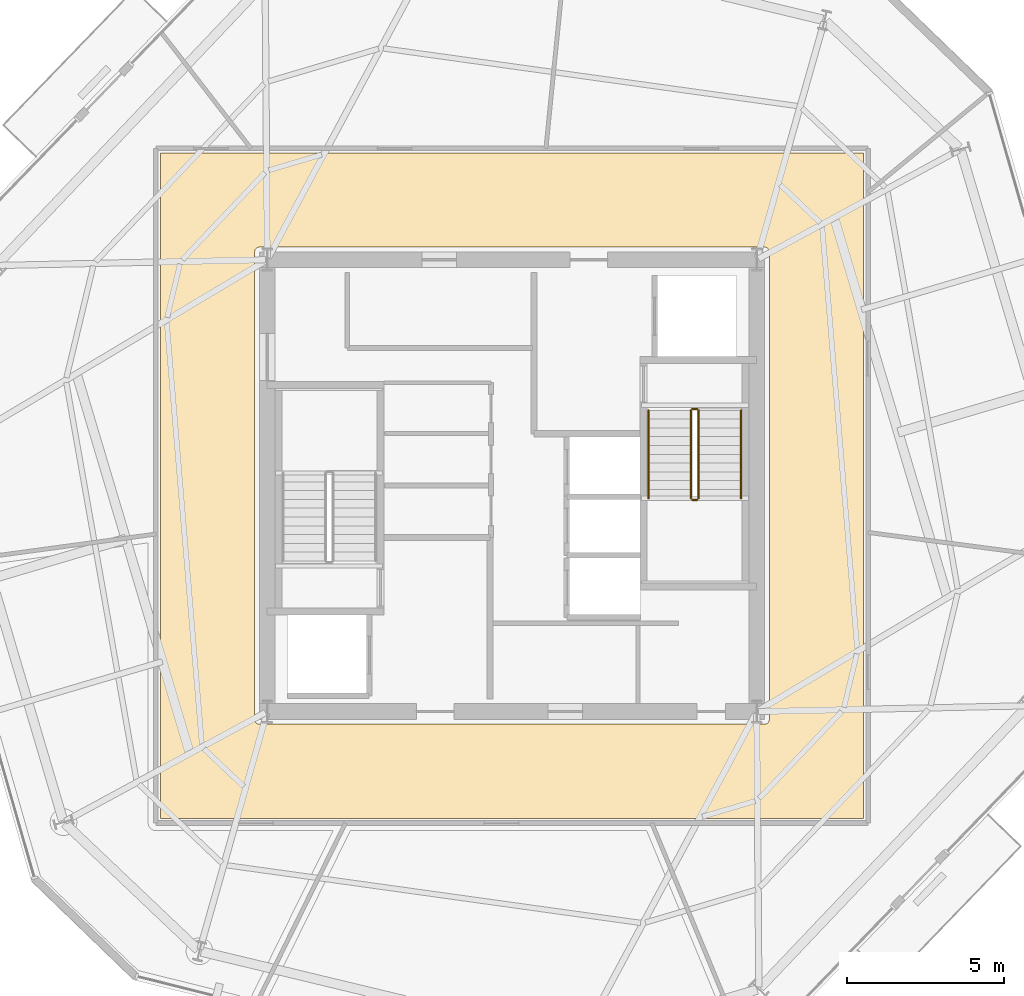
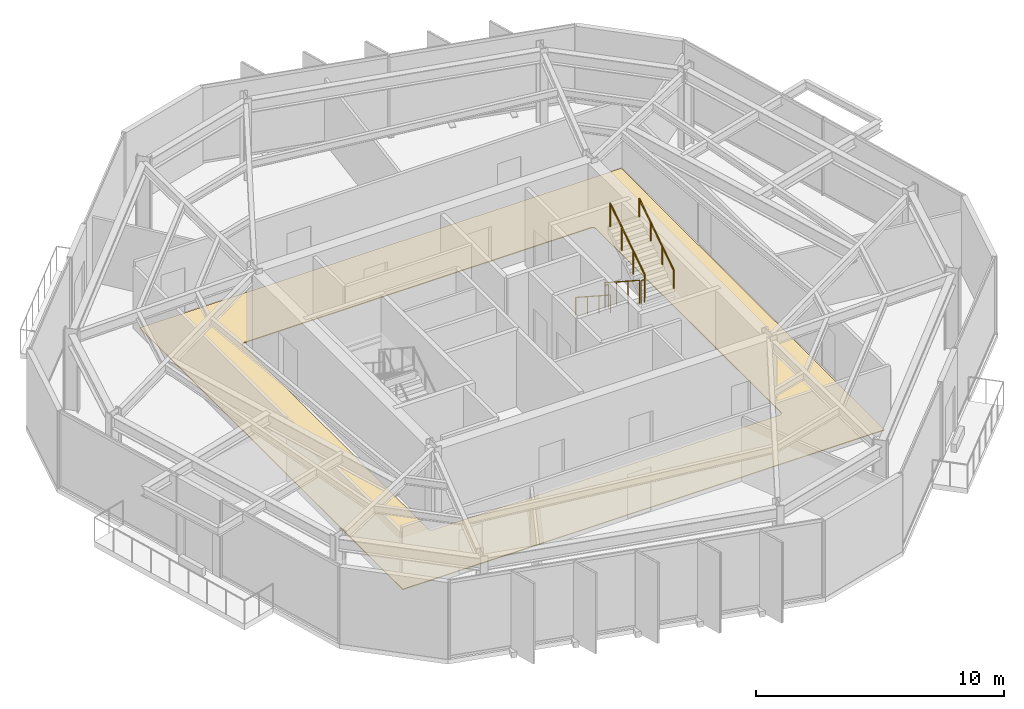
# One storey, part 10 of 11: 6 railings, 1 covering.
"""IFC4 building model written with IfcOpenShell, lengths in metres."""

from ifc_helpers import new_model, si_unit, direction, frame, origin, origin_2d, place, context, subcontext, project, spatial, polyline, circle, outline, extrude, material, layer, layer_set, type_object, element, save


model = new_model("IFC4")

# Units and contexts
model_context = context("Model", 3, precision=1e-05, world=origin(), true_north=direction((0.0, 1.0)))
body_context = subcontext(model_context, "Body", "Model", "MODEL_VIEW")
ifc_project = project(units=[si_unit("LENGTHUNIT", "METRE"), si_unit("AREAUNIT", "SQUARE_METRE"), si_unit("VOLUMEUNIT", "CUBIC_METRE"), si_unit("PLANEANGLEUNIT", "RADIAN"), si_unit("MASSUNIT", "GRAM", prefix="KILO")], contexts=[model_context])

# Site, building, storey
site_placement = place(None, origin())
site = spatial("IfcSite", under=ifc_project, at=site_placement, CompositionType="ELEMENT")
building_placement = place(site_placement, origin())
building = spatial("IfcBuilding", under=site, at=building_placement, Name="Kranzbogen Civic Tower", CompositionType="ELEMENT")
storey_placement = place(building_placement, frame((0.0, 0.0, 208.800048828125)))
storey = spatial("IfcBuildingStorey", under=building, at=storey_placement, Name="L50", CompositionType="ELEMENT", Elevation=208.800048828125)

# Covering
ifc_material_1 = material(Name="Honed Natural Stone Flooring", Category="masonry")
ifc_layer = layer(ifc_material_1, 0.0400390625, Name="Honed Natural Stone Flooring")
ifc_layer_set = layer_set([ifc_layer], Name="Honed Natural Stone Flooring")
covering_type = type_object("IfcCoveringType", Name="Honed Limestone Lobby Flooring 40 mm", PredefinedType="FLOORING", material=ifc_layer_set)
covering_placement = place(storey_placement, origin())
element("IfcCovering", 1, at=covering_placement, inside=storey, type_object=covering_type, Name="L50 concourse stone flooring 1", PredefinedType="FLOORING", context=body_context, shape_type="SweptSolid", body=[
    extrude(outline(polyline([(13.800048828125, 35.60009765625), (36.199951171875, 35.60009765625), (36.199951171875, 14.39990234375), (13.800048828125, 14.39990234375), (13.800048828125, 35.60009765625)]), holes=[polyline([(33.050048828125, 32.60009765625), (33.06494140625, 32.59912109375), (33.0791015625, 32.596923828125), (33.093994140625, 32.593994140625), (33.10693359375, 32.589111328125), (33.12109375, 32.58203125), (33.133056640625, 32.574951171875), (33.14501953125, 32.56591796875), (33.156005859375, 32.555908203125), (33.166015625, 32.544921875), (33.175048828125, 32.532958984375), (33.181884765625, 32.52099609375), (33.18896484375, 32.507080078125), (33.194091796875, 32.493896484375), (33.197021484375, 32.47900390625), (33.198974609375, 32.465087890625), (33.199951171875, 32.449951171875), (33.199951171875, 17.550048828125), (33.198974609375, 17.534912109375), (33.197021484375, 17.52099609375), (33.194091796875, 17.506103515625), (33.18896484375, 17.492919921875), (33.181884765625, 17.47900390625), (33.175048828125, 17.467041015625), (33.166015625, 17.455078125), (33.156005859375, 17.444091796875), (33.14501953125, 17.43408203125), (33.133056640625, 17.425048828125), (33.12109375, 17.41796875), (33.10693359375, 17.410888671875), (33.093994140625, 17.406005859375), (33.0791015625, 17.403076171875), (33.06494140625, 17.40087890625), (33.050048828125, 17.39990234375), (16.949951171875, 17.39990234375), (16.93505859375, 17.40087890625), (16.9208984375, 17.403076171875), (16.906005859375, 17.406005859375), (16.89306640625, 17.410888671875), (16.87890625, 17.41796875), (16.866943359375, 17.425048828125), (16.85498046875, 17.43408203125), (16.843994140625, 17.444091796875), (16.833984375, 17.455078125), (16.824951171875, 17.467041015625), (16.818115234375, 17.47900390625), (16.81103515625, 17.492919921875), (16.805908203125, 17.506103515625), (16.802978515625, 17.52099609375), (16.801025390625, 17.534912109375), (16.800048828125, 17.550048828125), (16.800048828125, 32.449951171875), (16.801025390625, 32.465087890625), (16.802978515625, 32.47900390625), (16.805908203125, 32.493896484375), (16.81103515625, 32.507080078125), (16.818115234375, 32.52099609375), (16.824951171875, 32.532958984375), (16.833984375, 32.544921875), (16.843994140625, 32.555908203125), (16.85498046875, 32.56591796875), (16.866943359375, 32.574951171875), (16.87890625, 32.58203125), (16.89306640625, 32.589111328125), (16.906005859375, 32.593994140625), (16.9208984375, 32.596923828125), (16.93505859375, 32.59912109375), (16.949951171875, 32.60009765625), (33.050048828125, 32.60009765625)])]), origin(), (0.0, 0.0, 1.0), 0.0400390625),
])

# Railings
ifc_material_2 = material(Name="Steel S355", Category="steel")
railing_type_1 = type_object("IfcRailingType", Name="Internal Stair and Void Steel Guardrail 1150", PredefinedType="GUARDRAIL", material=ifc_material_2)
railing_1_placement = place(storey_placement, frame((30.699951171875, 27.39990234375, 0.181884765625)))
element("IfcRailing", 2, at=railing_1_placement, inside=storey, type_object=railing_type_1, Name="L50 ST-T2 stair guard 1", PredefinedType="GUARDRAIL", context=body_context, shape_type="SweptSolid", body=[
    extrude(circle(Radius=0.02392578125, at=origin_2d()), frame((0.0, 0.0, 1.1259765625), z_axis=(0.0, -0.83868413941, 0.544618136222), x_axis=(1.0, 0.0, 0.0)), (0.0, 0.0, 1.0), 3.33837890625),
    extrude(circle(Radius=0.02099609375, at=origin_2d()), origin(), (0.0, 0.0, 1.0), 1.101806640625),
    extrude(circle(Radius=0.02099609375, at=origin_2d()), frame((0.0, -0.933349609375, 0.60595703125)), (0.0, 0.0, 1.0), 1.101806640625),
    extrude(circle(Radius=0.02099609375, at=origin_2d()), frame((0.0, -1.866455078125, 1.212158203125)), (0.0, 0.0, 1.0), 1.101806640625),
    extrude(circle(Radius=0.02099609375, at=origin_2d()), frame((0.0, -2.7998046875, 1.818115234375)), (0.0, 0.0, 1.0), 1.101806640625),
])
railing_2_placement = place(storey_placement, frame((30.75, 24.550048828125, 2.0)))
element("IfcRailing", 3, at=railing_2_placement, inside=storey, type_object=railing_type_1, Name="L50 ST-T2 stair guard 2", PredefinedType="GUARDRAIL", context=body_context, shape_type="SweptSolid", body=[
    extrude(circle(Radius=0.02392578125, at=origin_2d()), frame((0.0, 0.0, 1.1259765625), z_axis=(1.0, 0.0, 0.0), x_axis=(0.0, 1.0, 0.0)), (0.0, 0.0, 1.0), 0.14990234375),
    extrude(circle(Radius=0.02099609375, at=origin_2d()), origin(), (0.0, 0.0, 1.0), 1.101806640625),
    extrude(circle(Radius=0.02099609375, at=origin_2d()), frame((0.14990234375, 0.0, 0.0)), (0.0, 0.0, 1.0), 1.101806640625),
])
railing_3_placement = place(storey_placement, frame((30.949951171875, 24.60009765625, 2.181884765625)))
element("IfcRailing", 4, at=railing_3_placement, inside=storey, type_object=railing_type_1, Name="L50 ST-T2 stair guard 3", PredefinedType="GUARDRAIL", context=body_context, shape_type="SweptSolid", body=[
    extrude(circle(Radius=0.02392578125, at=origin_2d()), frame((0.0, 0.0, 1.1259765625), z_axis=(0.0, 0.83868413941, 0.544618136222), x_axis=(-1.0, 0.0, 0.0)), (0.0, 0.0, 1.0), 3.33837890625),
    extrude(circle(Radius=0.02099609375, at=origin_2d()), origin(), (0.0, 0.0, 1.0), 1.101806640625),
    extrude(circle(Radius=0.02099609375, at=origin_2d()), frame((0.0, 0.933349609375, 0.60595703125)), (0.0, 0.0, 1.0), 1.101806640625),
    extrude(circle(Radius=0.02099609375, at=origin_2d()), frame((0.0, 1.866455078125, 1.212158203125)), (0.0, 0.0, 1.0), 1.101806640625),
    extrude(circle(Radius=0.02099609375, at=origin_2d()), frame((0.0, 2.7998046875, 1.818115234375)), (0.0, 0.0, 1.0), 1.101806640625),
])
railing_4_placement = place(storey_placement, frame((30.75, 27.449951171875, 0.0)))
element("IfcRailing", 5, at=railing_4_placement, inside=storey, type_object=railing_type_1, Name="L50 ST-T2 stair guard 4", PredefinedType="GUARDRAIL", context=body_context, shape_type="SweptSolid", body=[
    extrude(circle(Radius=0.02392578125, at=origin_2d()), frame((0.0, 0.0, 1.1259765625), z_axis=(1.0, 0.0, 0.0), x_axis=(0.0, 1.0, 0.0)), (0.0, 0.0, 1.0), 0.14990234375),
    extrude(circle(Radius=0.02099609375, at=origin_2d()), origin(), (0.0, 0.0, 1.0), 1.101806640625),
    extrude(circle(Radius=0.02099609375, at=origin_2d()), frame((0.14990234375, 0.0, 0.0)), (0.0, 0.0, 1.0), 1.101806640625),
])
ifc_material_3 = material(Name="Pale Anodised Aluminium", Category="aluminium")
railing_type_2 = type_object("IfcRailingType", Name="Tubular Stainless Stair Wall Handrail 900", PredefinedType="HANDRAIL", material=ifc_material_3)
railing_5_placement = place(storey_placement, frame((29.35009765625, 27.39990234375, 0.181884765625)))
element("IfcRailing", 6, at=railing_5_placement, inside=storey, type_object=railing_type_2, Name="L50 ST-T2 stair handrail 1", PredefinedType="HANDRAIL", context=body_context, shape_type="SweptSolid", body=[
    extrude(circle(Radius=0.02392578125, at=origin_2d()), frame((0.0, 0.0, 0.8759765625), z_axis=(0.0, -0.83868413941, 0.544618136222), x_axis=(1.0, 0.0, 0.0)), (0.0, 0.0, 1.0), 3.33837890625),
    extrude(circle(Radius=0.02099609375, at=origin_2d()), origin(), (0.0, 0.0, 1.0), 0.851806640625),
    extrude(circle(Radius=0.02099609375, at=origin_2d()), frame((0.0, -0.933349609375, 0.60595703125)), (0.0, 0.0, 1.0), 0.851806640625),
    extrude(circle(Radius=0.02099609375, at=origin_2d()), frame((0.0, -1.866455078125, 1.212158203125)), (0.0, 0.0, 1.0), 0.851806640625),
    extrude(circle(Radius=0.02099609375, at=origin_2d()), frame((0.0, -2.7998046875, 1.818115234375)), (0.0, 0.0, 1.0), 0.851806640625),
])
railing_6_placement = place(storey_placement, frame((32.300048828125, 24.60009765625, 2.181884765625)))
element("IfcRailing", 7, at=railing_6_placement, inside=storey, type_object=railing_type_2, Name="L50 ST-T2 stair handrail 2", PredefinedType="HANDRAIL", context=body_context, shape_type="SweptSolid", body=[
    extrude(circle(Radius=0.02392578125, at=origin_2d()), frame((0.0, 0.0, 0.8759765625), z_axis=(0.0, 0.83868413941, 0.544618136222), x_axis=(-1.0, 0.0, 0.0)), (0.0, 0.0, 1.0), 3.33837890625),
    extrude(circle(Radius=0.02099609375, at=origin_2d()), origin(), (0.0, 0.0, 1.0), 0.851806640625),
    extrude(circle(Radius=0.02099609375, at=origin_2d()), frame((0.0, 0.933349609375, 0.60595703125)), (0.0, 0.0, 1.0), 0.851806640625),
    extrude(circle(Radius=0.02099609375, at=origin_2d()), frame((0.0, 1.866455078125, 1.212158203125)), (0.0, 0.0, 1.0), 0.851806640625),
    extrude(circle(Radius=0.02099609375, at=origin_2d()), frame((0.0, 2.7998046875, 1.818115234375)), (0.0, 0.0, 1.0), 0.851806640625),
])

save(model, "model.ifc")
